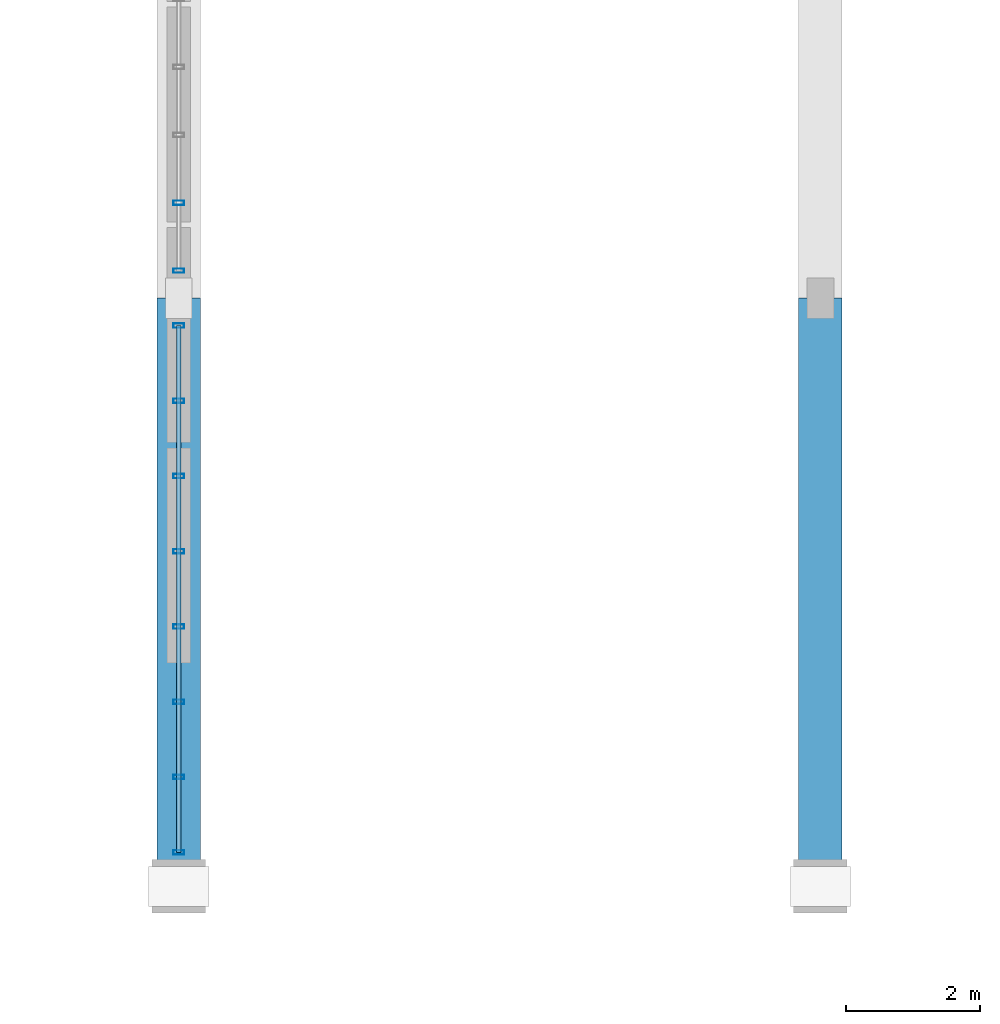
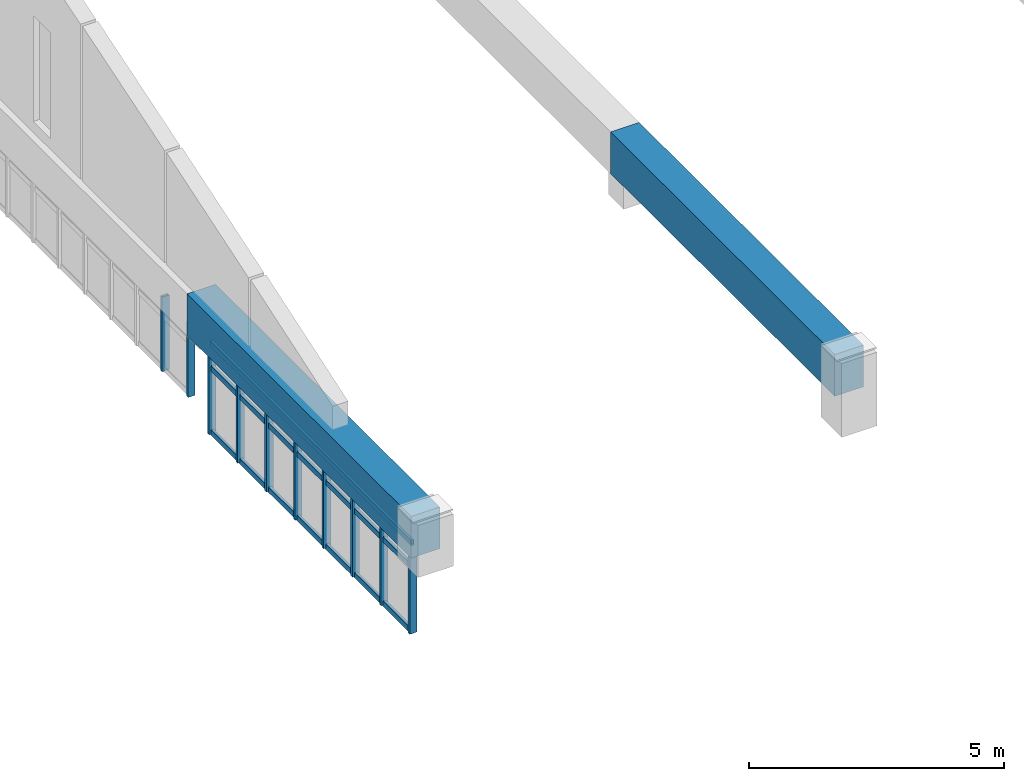
# One storey, part 10 of 65: 13 members, 2 beams, 2 elements without a shape of their own.
"""IFC4 building model written with IfcOpenShell, lengths in metres."""

import ifcopenshell
import ifcopenshell.guid

model = None  # the IFC model being written
_history = None  # IfcOwnerHistory: only IFC2X3 demands one
_inside = {}  # id of a spatial element -> (the spatial element, [elements in it])
_under = {}  # id of a project, library or spatial element -> (it, [spatial elements below it])
_declared = {}  # id of a project -> (the project, [libraries it declares])
_typed = {}  # id of a type object -> (the type object, [elements of that type])
_made_of = {}  # id of a material, layer set ... -> (it, [elements and type objects made of it])


def new_model(schema):
    """Start an empty IFC model of exactly this schema.

    Asked for "IFC4X3", IfcOpenShell would pick the latest addendum, in which some entities
    have other attributes; the version numbers below select the first issue.
    IFC2X3 requires an IfcOwnerHistory on every rooted entity: one is made here for all.
    """
    global model, _history
    if schema == "IFC4X3":
        model = ifcopenshell.file(schema_version=(4, 3, 0, 0))
    else:
        model = ifcopenshell.file(schema=schema)
    _inside.clear()
    _under.clear()
    _declared.clear()
    _typed.clear()
    _made_of.clear()
    _history = None
    if model.schema == "IFC2X3":
        org = make("IfcOrganization", Name="unknown")
        user = make(
            "IfcPersonAndOrganization",
            ThePerson=make("IfcPerson", FamilyName="unknown"),
            TheOrganization=org,
        )
        app = make(
            "IfcApplication",
            ApplicationDeveloper=org,
            Version="unknown",
            ApplicationFullName="unknown",
            ApplicationIdentifier="unknown",
        )
        _history = make(
            "IfcOwnerHistory",
            OwningUser=user,
            OwningApplication=app,
            ChangeAction="ADDED",
            CreationDate=0,
        )
    return model


def make(cls, **values):
    """One entity of the class cls with the attributes given. An attribute that is None is left unset."""
    return model.create_entity(
        cls, **{name: value for name, value in values.items() if value is not None}
    )


def rooted(cls, **values):
    """An entity with a GlobalId (a new one), such as an element, a storey or a relation."""
    return make(cls, GlobalId=ifcopenshell.guid.new(), OwnerHistory=_history, **values)


def si_unit(unit_type, name, prefix=None):
    """IfcSIUnit, for example si_unit("LENGTHUNIT", "METRE", prefix="MILLI")."""
    return make("IfcSIUnit", UnitType=unit_type, Prefix=prefix, Name=name)


def assignment(units):
    """IfcUnitAssignment: the units of a project."""
    return None if units is None else make("IfcUnitAssignment", Units=units)


def point(xyz):
    """IfcCartesianPoint."""
    return None if xyz is None else make("IfcCartesianPoint", Coordinates=xyz)


def direction(xyz):
    """IfcDirection."""
    return None if xyz is None else make("IfcDirection", DirectionRatios=xyz)


def frame(location, z_axis=None, x_axis=None):
    """IfcAxis2Placement3D, a coordinate frame: its origin and axes. An axis left out is left unset."""
    return make(
        "IfcAxis2Placement3D",
        Location=point(location),
        Axis=direction(z_axis),
        RefDirection=direction(x_axis),
    )


def frame_2d(location, x_axis=None):
    """IfcAxis2Placement2D, a coordinate frame in the plane: its origin and x axis."""
    return make(
        "IfcAxis2Placement2D", Location=point(location), RefDirection=direction(x_axis)
    )


def origin():
    """The frame at (0, 0, 0) with its axes left unset."""
    return frame((0.0, 0.0, 0.0))


def origin_2d():
    """The frame at (0, 0) in the plane with its x axis left unset."""
    return frame_2d((0.0, 0.0))


def place(relative_to, where):
    """IfcLocalPlacement: puts the frame where relative to a parent placement (None: the world)."""
    return make(
        "IfcLocalPlacement", PlacementRelTo=relative_to, RelativePlacement=where
    )


def context(
    kind, dimensions, precision=None, world=None, true_north=None, identifier=None
):
    """IfcGeometricRepresentationContext, for example the 3D "Model" context."""
    return make(
        "IfcGeometricRepresentationContext",
        ContextIdentifier=identifier,
        ContextType=kind,
        CoordinateSpaceDimension=dimensions,
        Precision=precision,
        WorldCoordinateSystem=world,
        TrueNorth=true_north,
    )


def subcontext(parent, identifier, kind, view, scale=None):
    """IfcGeometricRepresentationSubContext, for example "Body" below "Model"."""
    return make(
        "IfcGeometricRepresentationSubContext",
        ContextIdentifier=identifier,
        ContextType=kind,
        ParentContext=parent,
        TargetScale=scale,
        TargetView=view,
    )


def project(units=None, contexts=None):
    """IfcProject with its units and contexts."""
    return rooted(
        "IfcProject",
        Name="project",
        RepresentationContexts=contexts,
        UnitsInContext=assignment(units),
    )


def spatial(cls, under=None, at=None, **own):
    """A site, building, storey or space (cls), placed at a placement, below another one or the project."""
    s = rooted(cls, ObjectPlacement=at, **own)
    if under is not None:
        _under.setdefault(under.id(), (under, []))[1].append(s)
    return s


def profile(cls, at=None, kind="AREA", **sizes):
    """A parametric profile (cls). Its sizes go by their IFC names, for example OverallWidth=200.0."""
    return make(cls, ProfileType=kind, Position=at, **sizes)


def rectangle(**sizes):
    """IfcRectangleProfileDef."""
    return profile("IfcRectangleProfileDef", **sizes)


def hollow_rectangle(**sizes):
    """IfcRectangleHollowProfileDef."""
    return profile("IfcRectangleHollowProfileDef", **sizes)


def extrude(swept, where, along, depth):
    """IfcExtrudedAreaSolid: the profile swept, set in the frame where, extruded along a direction by depth."""
    return make(
        "IfcExtrudedAreaSolid",
        SweptArea=swept,
        Position=where,
        ExtrudedDirection=direction(along),
        Depth=depth,
    )


def shape(context_of_items, identifier, shape_type, items):
    """IfcShapeRepresentation: the items that make up one representation, for example the "Body"."""
    return make(
        "IfcShapeRepresentation",
        ContextOfItems=context_of_items,
        RepresentationIdentifier=identifier,
        RepresentationType=shape_type,
        Items=items,
    )


def material(Name=None, Category=None):
    """IfcMaterial."""
    return make("IfcMaterial", Name=Name, Category=Category)


def layer(
    of_material, thickness, ventilated=None, Name=None, Category=None, Priority=None
):
    """IfcMaterialLayer: one layer of a wall or slab, of a material (None: an air gap)."""
    return make(
        "IfcMaterialLayer",
        Material=of_material,
        LayerThickness=thickness,
        IsVentilated=ventilated,
        Name=Name,
        Category=Category,
        Priority=Priority,
    )


def layer_set(layers, Name=None):
    """IfcMaterialLayerSet."""
    return make("IfcMaterialLayerSet", MaterialLayers=layers, LayerSetName=Name)


def material_profile(
    of_material, cross_section, Name=None, Category=None, Priority=None
):
    """IfcMaterialProfile: a cross section and its material."""
    return make(
        "IfcMaterialProfile",
        Name=Name,
        Material=of_material,
        Profile=cross_section,
        Priority=Priority,
        Category=Category,
    )


def profile_set(profiles, Name=None, composite=None):
    """IfcMaterialProfileSet."""
    return make(
        "IfcMaterialProfileSet",
        Name=Name,
        MaterialProfiles=profiles,
        CompositeProfile=composite,
    )


def made_of(thing, what):
    """Note that an element or type object is made of a material, layer set ...; save() writes the relation."""
    if what is not None:
        _made_of.setdefault(what.id(), (what, []))[1].append(thing)
    return thing


def type_object(cls, material=None, **own):
    """A type object (cls), such as IfcWallType, which elements share."""
    return made_of(rooted(cls, **own), material)


def element(
    cls,
    number,
    at=None,
    inside=None,
    cuts=None,
    type_object=None,
    material=None,
    context=None,
    identifier="Body",
    shape_type=None,
    held_by="IfcProductDefinitionShape",
    body=None,
    shapes=None,
    **own,
):
    """One element of the class cls, such as IfcWall. Its Tag is "e" and its number.

    at: its placement. inside: the storey or other place that contains it. cuts: it is an
    opening in that element (IfcRelVoidsElement). A single representation is given by context,
    identifier, shape_type and body (its items); several are given by shapes. held_by: the class
    of the entity that holds the representations. save() writes the other relations.
    """
    e = rooted(cls, Tag="e%d" % number, ObjectPlacement=at, **own)
    if body is not None:
        shapes = [shape(context, identifier, shape_type, body)]
    if shapes is not None:
        e.Representation = make(held_by, Representations=shapes)
    if inside is not None:
        _inside.setdefault(inside.id(), (inside, []))[1].append(e)
    if cuts is not None:
        rooted(
            "IfcRelVoidsElement", RelatingBuildingElement=cuts, RelatedOpeningElement=e
        )
    if type_object is not None:
        _typed.setdefault(type_object.id(), (type_object, []))[1].append(e)
    return made_of(e, material)


def aggregate(whole, parts):
    """IfcRelAggregates: a whole, such as a stair, and the parts it consists of."""
    return rooted("IfcRelAggregates", RelatingObject=whole, RelatedObjects=parts)


def save(model, path):
    """Write the relations noted so far, then the file.

    IfcRelAggregates (storeys below a building ...), IfcRelContainedInSpatialStructure (elements
    in a storey), IfcRelDefinesByType, IfcRelAssociatesMaterial and IfcRelDeclares: one each for
    every whole, place, type object, material and project.
    """
    for whole, parts in _under.values():
        aggregate(whole, parts)
    for where, things in _inside.values():
        rooted(
            "IfcRelContainedInSpatialStructure",
            RelatedElements=things,
            RelatingStructure=where,
        )
    for kind, things in _typed.values():
        rooted("IfcRelDefinesByType", RelatedObjects=things, RelatingType=kind)
    for what, things in _made_of.values():
        rooted("IfcRelAssociatesMaterial", RelatedObjects=things, RelatingMaterial=what)
    for by, libraries in _declared.values():
        rooted("IfcRelDeclares", RelatingContext=by, RelatedDefinitions=libraries)
    model.write(path)


model = new_model("IFC4")

# Units and contexts
model_context = context("Model", 3, precision=1e-05, world=origin(), true_north=direction((0.0, 1.0)))
body_context = subcontext(model_context, "Body", "Model", "MODEL_VIEW")
ifc_project = project(units=[si_unit("LENGTHUNIT", "METRE"), si_unit("AREAUNIT", "SQUARE_METRE"), si_unit("VOLUMEUNIT", "CUBIC_METRE"), si_unit("PLANEANGLEUNIT", "RADIAN"), si_unit("MASSUNIT", "GRAM", prefix="KILO")], contexts=[model_context])

# Site, building, storey
site_placement = place(None, origin())
site = spatial("IfcSite", under=ifc_project, at=site_placement, CompositionType="ELEMENT")
building_placement = place(site_placement, origin())
building = spatial("IfcBuilding", under=site, at=building_placement, Name="Chalmorin Arch Market", CompositionType="ELEMENT")
storey_placement = place(building_placement, frame((0.0, 0.0, 14.10009765625)))
storey = spatial("IfcBuildingStorey", under=building, at=storey_placement, Name="L03", CompositionType="ELEMENT", Elevation=14.10009765625)

# Beams
ifc_material_1 = material(Name="Concrete C50/60", Category="concrete")
ifc_material_profile_1 = material_profile(ifc_material_1, rectangle(XDim=0.64990234375, YDim=1.0, at=origin_2d()), Name="RC650X1000")
ifc_profile_set_1 = profile_set([ifc_material_profile_1], Name="Concrete C50/60")
beam_type = type_object("IfcBeamType", Name="ArchTieGirder-650x1000", PredefinedType="BEAM", material=ifc_profile_set_1)
for number, where, z_axis, x_axis, name in (
    (1, (48.0, 6.0, 0.699951171875), (0.0, 1.0, 0.0), (-1.0, 0.0, 0.0), "ATG-01-1601"),
    (2, (57.60009765625, 6.0, 1.216552734375), (0.0, 1.0, 0.0), (-1.0, 0.0, 0.0), "ATG-01-1620"),
):
    element("IfcBeam", number, at=place(storey_placement, frame(where, z_axis=z_axis, x_axis=x_axis)), inside=storey, type_object=beam_type, Name=name, PredefinedType="BEAM", context=body_context, shape_type="SweptSolid", body=[
        extrude(rectangle(XDim=0.64990234375, YDim=1.0, at=origin_2d()), origin(), (0.0, 0.0, 1.0), 8.800048828125),
    ])

# Curtain wall, members
ifc_material_2 = material(Name="Aluminium 6063-T6", Category="aluminium")
ifc_layer_1 = layer(ifc_material_2, 0.159912109375)
ifc_layer_set_1 = layer_set([ifc_layer_1], Name="Aluminium 6063-T6")
curtain_wall_type_1 = type_object("IfcCurtainWallType", Name="GableTympanumCurtainWall-CW4-7880x2180", PredefinedType="NOTDEFINED", material=ifc_layer_set_1)
curtain_wall_1_placement = place(storey_placement, origin())
curtain_wall_1 = element("IfcCurtainWall", 3, at=curtain_wall_1_placement, inside=storey, type_object=curtain_wall_type_1, Name="CW-04-027", PredefinedType="NOTDEFINED")
ifc_material_profile_2 = material_profile(ifc_material_2, hollow_rectangle(XDim=0.06494140625, YDim=0.159912109375, WallThickness=0.00390625, at=origin_2d()), Name="ALU65X160X4")
ifc_profile_set_2 = profile_set([ifc_material_profile_2], Name="Aluminium 6063-T6")
member_type_1 = type_object("IfcMemberType", Name="CurtainWallMullion-65x160", PredefinedType="MULLION", material=ifc_profile_set_2)
member_1_placement = place(storey_placement, frame((48.0, 6.510009765625, -2.0), z_axis=(0.0, 0.0, 1.0), x_axis=(0.0, 1.0, 0.0)))
member_1 = element("IfcMember", 4, at=member_1_placement, type_object=member_type_1, Name="ML-027-01", PredefinedType="MULLION", context=body_context, shape_type="SweptSolid", body=[
    extrude(hollow_rectangle(XDim=0.06494140625, YDim=0.159912109375, WallThickness=0.00390625, at=origin_2d()), origin(), (0.0, 0.0, 1.0), 2.184814453125),
])
member_2_placement = place(storey_placement, frame((48.0, 7.6357421875, -2.0), z_axis=(0.0, 0.0, 1.0), x_axis=(0.0, 1.0, 0.0)))
member_2 = element("IfcMember", 5, at=member_2_placement, type_object=member_type_1, Name="ML-027-02", PredefinedType="MULLION", context=body_context, shape_type="SweptSolid", body=[
    extrude(hollow_rectangle(XDim=0.06494140625, YDim=0.159912109375, WallThickness=0.00390625, at=origin_2d()), origin(), (0.0, 0.0, 1.0), 2.184814453125),
])
member_3_placement = place(storey_placement, frame((48.0, 8.761474609375, -2.0), z_axis=(0.0, 0.0, 1.0), x_axis=(0.0, 1.0, 0.0)))
member_3 = element("IfcMember", 6, at=member_3_placement, type_object=member_type_1, Name="ML-027-03", PredefinedType="MULLION", context=body_context, shape_type="SweptSolid", body=[
    extrude(hollow_rectangle(XDim=0.06494140625, YDim=0.159912109375, WallThickness=0.00390625, at=origin_2d()), origin(), (0.0, 0.0, 1.0), 2.184814453125),
])
member_4_placement = place(storey_placement, frame((48.0, 9.88720703125, -2.0), z_axis=(0.0, 0.0, 1.0), x_axis=(0.0, 1.0, 0.0)))
member_4 = element("IfcMember", 7, at=member_4_placement, type_object=member_type_1, Name="ML-027-04", PredefinedType="MULLION", context=body_context, shape_type="SweptSolid", body=[
    extrude(hollow_rectangle(XDim=0.06494140625, YDim=0.159912109375, WallThickness=0.00390625, at=origin_2d()), origin(), (0.0, 0.0, 1.0), 2.184814453125),
])
member_5_placement = place(storey_placement, frame((48.0, 11.012939453125, -2.0), z_axis=(0.0, 0.0, 1.0), x_axis=(0.0, 1.0, 0.0)))
member_5 = element("IfcMember", 8, at=member_5_placement, type_object=member_type_1, Name="ML-027-05", PredefinedType="MULLION", context=body_context, shape_type="SweptSolid", body=[
    extrude(hollow_rectangle(XDim=0.06494140625, YDim=0.159912109375, WallThickness=0.00390625, at=origin_2d()), origin(), (0.0, 0.0, 1.0), 2.184814453125),
])
member_6_placement = place(storey_placement, frame((48.0, 12.138671875, -2.0), z_axis=(0.0, 0.0, 1.0), x_axis=(0.0, 1.0, 0.0)))
member_6 = element("IfcMember", 9, at=member_6_placement, type_object=member_type_1, Name="ML-027-06", PredefinedType="MULLION", context=body_context, shape_type="SweptSolid", body=[
    extrude(hollow_rectangle(XDim=0.06494140625, YDim=0.159912109375, WallThickness=0.00390625, at=origin_2d()), origin(), (0.0, 0.0, 1.0), 2.184814453125),
])
member_7_placement = place(storey_placement, frame((48.0, 13.264404296875, -2.0), z_axis=(0.0, 0.0, 1.0), x_axis=(0.0, 1.0, 0.0)))
member_7 = element("IfcMember", 10, at=member_7_placement, type_object=member_type_1, Name="ML-027-07", PredefinedType="MULLION", context=body_context, shape_type="SweptSolid", body=[
    extrude(hollow_rectangle(XDim=0.06494140625, YDim=0.159912109375, WallThickness=0.00390625, at=origin_2d()), origin(), (0.0, 0.0, 1.0), 2.184814453125),
])
member_8_placement = place(storey_placement, frame((48.0, 14.389892578125, -2.0), z_axis=(0.0, 0.0, 1.0), x_axis=(0.0, 1.0, 0.0)))
member_8 = element("IfcMember", 11, at=member_8_placement, type_object=member_type_1, Name="ML-027-08", PredefinedType="MULLION", context=body_context, shape_type="SweptSolid", body=[
    extrude(hollow_rectangle(XDim=0.06494140625, YDim=0.159912109375, WallThickness=0.00390625, at=origin_2d()), origin(), (0.0, 0.0, 1.0), 2.184814453125),
])

ifc_layer_2 = layer(ifc_material_2, 0.159912109375)
ifc_layer_set_2 = layer_set([ifc_layer_2], Name="Aluminium 6063-T6")
curtain_wall_type_2 = type_object("IfcCurtainWallType", Name="GableTympanumCurtainWall-CW4-8130x1780", PredefinedType="NOTDEFINED", material=ifc_layer_set_2)
curtain_wall_2_placement = place(storey_placement, origin())
curtain_wall_2 = element("IfcCurtainWall", 12, at=curtain_wall_2_placement, inside=storey, type_object=curtain_wall_type_2, Name="CW-04-029", PredefinedType="NOTDEFINED")
member_9_placement = place(storey_placement, frame((48.0, 15.2099609375, -1.60009765625), z_axis=(0.0, 0.0, 1.0), x_axis=(0.0, 1.0, 0.0)))
member_9 = element("IfcMember", 13, at=member_9_placement, type_object=member_type_1, Name="ML-029-01", PredefinedType="MULLION", context=body_context, shape_type="SweptSolid", body=[
    extrude(hollow_rectangle(XDim=0.06494140625, YDim=0.159912109375, WallThickness=0.00390625, at=origin_2d()), origin(), (0.0, 0.0, 1.0), 1.784912109375),
])
member_10_placement = place(storey_placement, frame((48.0, 16.22607421875, -1.60009765625), z_axis=(0.0, 0.0, 1.0), x_axis=(0.0, 1.0, 0.0)))
member_10 = element("IfcMember", 14, at=member_10_placement, type_object=member_type_1, Name="ML-029-02", PredefinedType="MULLION", context=body_context, shape_type="SweptSolid", body=[
    extrude(hollow_rectangle(XDim=0.06494140625, YDim=0.159912109375, WallThickness=0.00390625, at=origin_2d()), origin(), (0.0, 0.0, 1.0), 1.784912109375),
])
aggregate(curtain_wall_2, [member_9, member_10])

# Member
ifc_material_profile_3 = material_profile(ifc_material_2, hollow_rectangle(XDim=0.06494140625, YDim=0.1298828125, WallThickness=0.00390625, at=origin_2d()), Name="ALU65X130X4")
ifc_profile_set_3 = profile_set([ifc_material_profile_3], Name="Aluminium 6063-T6")
member_type_2 = type_object("IfcMemberType", Name="CurtainWallTransom-65x130", PredefinedType="USERDEFINED", material=ifc_profile_set_3)
member_11_placement = place(storey_placement, frame((48.0, 6.510009765625, -1.965087890625), z_axis=(0.0, 1.0, 0.0), x_axis=(-1.0, 0.0, 0.0)))
member_11 = element("IfcMember", 15, at=member_11_placement, type_object=member_type_2, Name="TR-027-01", ObjectType="TRANSOM", PredefinedType="USERDEFINED", context=body_context, shape_type="SweptSolid", body=[
    extrude(hollow_rectangle(XDim=0.06494140625, YDim=0.1298828125, WallThickness=0.00390625, at=origin_2d()), origin(), (0.0, 0.0, 1.0), 7.8798828125),
])

member_12_placement = place(storey_placement, frame((48.0, 6.510009765625, -0.427001953125), z_axis=(0.0, 1.0, 0.0), x_axis=(-1.0, 0.0, 0.0)))
member_12 = element("IfcMember", 16, at=member_12_placement, type_object=member_type_2, Name="TR-027-02", ObjectType="TRANSOM", PredefinedType="USERDEFINED", context=body_context, shape_type="SweptSolid", body=[
    extrude(hollow_rectangle(XDim=0.06494140625, YDim=0.1298828125, WallThickness=0.00390625, at=origin_2d()), origin(), (0.0, 0.0, 1.0), 7.8798828125),
])

member_13_placement = place(storey_placement, frame((48.0, 6.510009765625, 0.14990234375), z_axis=(0.0, 1.0, 0.0), x_axis=(-1.0, 0.0, 0.0)))
member_13 = element("IfcMember", 17, at=member_13_placement, type_object=member_type_2, Name="TR-027-03", ObjectType="TRANSOM", PredefinedType="USERDEFINED", context=body_context, shape_type="SweptSolid", body=[
    extrude(hollow_rectangle(XDim=0.06494140625, YDim=0.1298828125, WallThickness=0.00390625, at=origin_2d()), origin(), (0.0, 0.0, 1.0), 7.8798828125),
])

aggregate(curtain_wall_1, [member_1, member_2, member_3, member_4, member_5, member_6, member_7, member_8, member_11, member_12, member_13])

save(model, "model.ifc")
